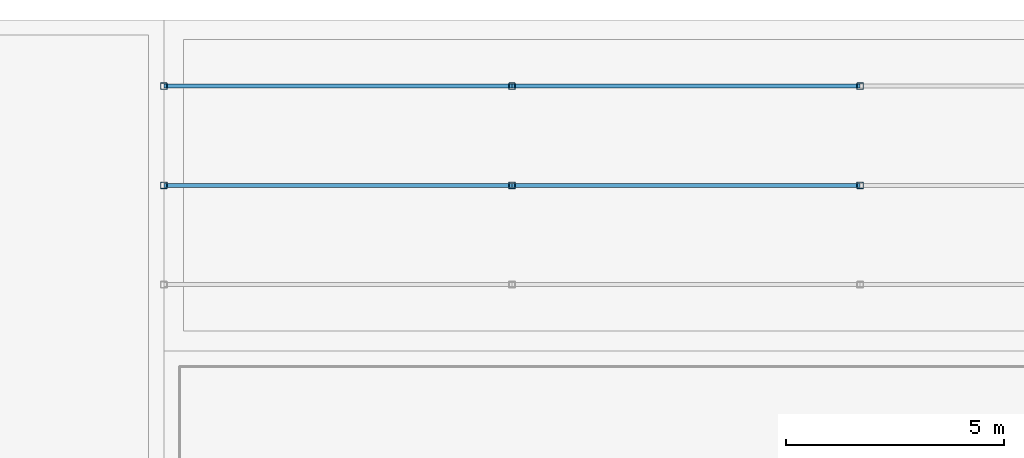
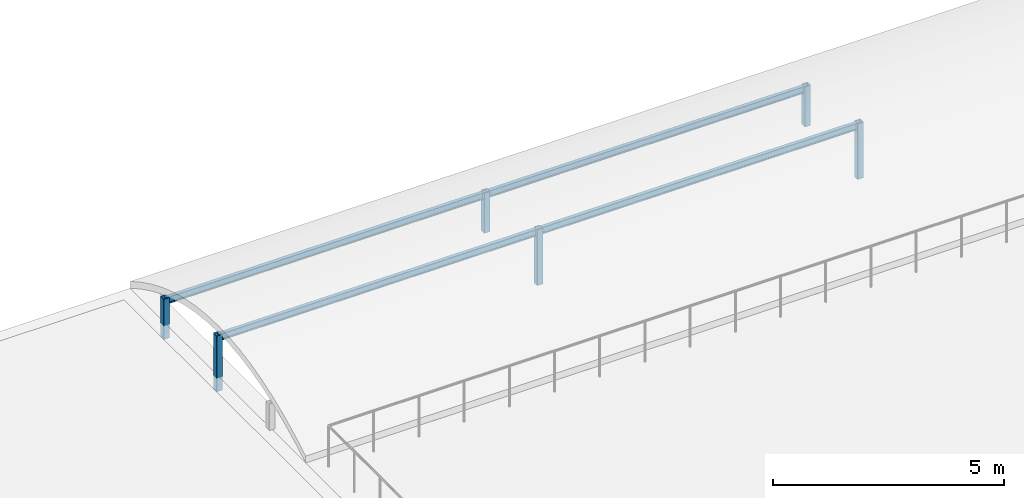
# One storey, part 21 of 46: 10 members.
"""IFC4 building model written with IfcOpenShell, lengths in metres."""

from ifc_helpers import new_model, si_unit, direction, frame, origin, origin_2d, place, context, subcontext, project, spatial, hollow_rectangle, i_section, extrude, material, material_profile, profile_set, type_object, element, save


model = new_model("IFC4")

# Units and contexts
model_context = context("Model", 3, precision=1e-05, world=origin(), true_north=direction((0.0, 1.0)))
body_context = subcontext(model_context, "Body", "Model", "MODEL_VIEW")
ifc_project = project(units=[si_unit("LENGTHUNIT", "METRE"), si_unit("AREAUNIT", "SQUARE_METRE"), si_unit("VOLUMEUNIT", "CUBIC_METRE"), si_unit("PLANEANGLEUNIT", "RADIAN"), si_unit("MASSUNIT", "GRAM", prefix="KILO")], contexts=[model_context])

# Site, building, storey
site_placement = place(None, origin())
site = spatial("IfcSite", under=ifc_project, at=site_placement, CompositionType="ELEMENT")
building_placement = place(site_placement, origin())
building = spatial("IfcBuilding", under=site, at=building_placement, Name="Shalkamar Park Central Library", CompositionType="ELEMENT")
storey_placement = place(building_placement, frame((0.0, 0.0, 20.39990234375)))
storey = spatial("IfcBuildingStorey", under=building, at=storey_placement, Name="L05", CompositionType="ELEMENT", Elevation=20.39990234375)

# Members
ifc_material = material(Name="Steel S355", Category="steel")
ifc_material_profile_1 = material_profile(ifc_material, hollow_rectangle(XDim=0.14990234375, YDim=0.14990234375, WallThickness=0.008056640625, InnerFilletRadius=0.008056640625, OuterFilletRadius=0.011962890625, at=origin_2d()), Name="SHS 150x150x8")
ifc_profile_set_1 = profile_set([ifc_material_profile_1], Name="Steel S355")
member_type_1 = type_object("IfcMemberType", Name="Diagonal Brace SHS150", PredefinedType="BRACE", material=ifc_profile_set_1)
member_1_placement = place(storey_placement, frame((165.0, 312.199951171875, -0.35986328125), z_axis=(0.0, 0.0, 1.0), x_axis=(1.0, 0.0, 0.0)))
element("IfcMember", 1, at=member_1_placement, inside=storey, type_object=member_type_1, Name="Vault Arch Post BV-L04-NN-07.2", PredefinedType="BRACE", context=body_context, shape_type="SweptSolid", body=[
    extrude(hollow_rectangle(XDim=0.14990234375, YDim=0.14990234375, WallThickness=0.008056640625, InnerFilletRadius=0.008056640625, OuterFilletRadius=0.011962890625, at=origin_2d()), origin(), (0.0, 0.0, 1.0), 1.469970703125),
])
member_2_placement = place(storey_placement, frame((165.0, 314.47998046875, -0.35986328125), z_axis=(0.0, 0.0, 1.0), x_axis=(1.0, 0.0, 0.0)))
element("IfcMember", 2, at=member_2_placement, inside=storey, type_object=member_type_1, Name="Vault Arch Post BV-L04-NN-07.3", PredefinedType="BRACE", context=body_context, shape_type="SweptSolid", body=[
    extrude(hollow_rectangle(XDim=0.14990234375, YDim=0.14990234375, WallThickness=0.008056640625, InnerFilletRadius=0.008056640625, OuterFilletRadius=0.011962890625, at=origin_2d()), origin(), (0.0, 0.0, 1.0), 1.055908203125),
])
member_3_placement = place(storey_placement, frame((173.0, 312.199951171875, -0.35986328125), z_axis=(0.0, 0.0, 1.0), x_axis=(1.0, 0.0, 0.0)))
element("IfcMember", 3, at=member_3_placement, inside=storey, type_object=member_type_1, Name="Vault Arch Post BV-L04-NN-08.2", PredefinedType="BRACE", context=body_context, shape_type="SweptSolid", body=[
    extrude(hollow_rectangle(XDim=0.14990234375, YDim=0.14990234375, WallThickness=0.008056640625, InnerFilletRadius=0.008056640625, OuterFilletRadius=0.011962890625, at=origin_2d()), origin(), (0.0, 0.0, 1.0), 1.469970703125),
])
member_4_placement = place(storey_placement, frame((173.0, 314.47998046875, -0.35986328125), z_axis=(0.0, 0.0, 1.0), x_axis=(1.0, 0.0, 0.0)))
element("IfcMember", 4, at=member_4_placement, inside=storey, type_object=member_type_1, Name="Vault Arch Post BV-L04-NN-08.3", PredefinedType="BRACE", context=body_context, shape_type="SweptSolid", body=[
    extrude(hollow_rectangle(XDim=0.14990234375, YDim=0.14990234375, WallThickness=0.008056640625, InnerFilletRadius=0.008056640625, OuterFilletRadius=0.011962890625, at=origin_2d()), origin(), (0.0, 0.0, 1.0), 1.055908203125),
])
member_5_placement = place(storey_placement, frame((181.0, 312.199951171875, -0.35986328125), z_axis=(0.0, 0.0, 1.0), x_axis=(1.0, 0.0, 0.0)))
element("IfcMember", 5, at=member_5_placement, inside=storey, type_object=member_type_1, Name="Vault Arch Post BV-L04-NN-09.2", PredefinedType="BRACE", context=body_context, shape_type="SweptSolid", body=[
    extrude(hollow_rectangle(XDim=0.14990234375, YDim=0.14990234375, WallThickness=0.008056640625, InnerFilletRadius=0.008056640625, OuterFilletRadius=0.011962890625, at=origin_2d()), origin(), (0.0, 0.0, 1.0), 1.469970703125),
])
member_6_placement = place(storey_placement, frame((181.0, 314.47998046875, -0.35986328125), z_axis=(0.0, 0.0, 1.0), x_axis=(1.0, 0.0, 0.0)))
element("IfcMember", 6, at=member_6_placement, inside=storey, type_object=member_type_1, Name="Vault Arch Post BV-L04-NN-09.3", PredefinedType="BRACE", context=body_context, shape_type="SweptSolid", body=[
    extrude(hollow_rectangle(XDim=0.14990234375, YDim=0.14990234375, WallThickness=0.008056640625, InnerFilletRadius=0.008056640625, OuterFilletRadius=0.011962890625, at=origin_2d()), origin(), (0.0, 0.0, 1.0), 1.055908203125),
])
ifc_material_profile_2 = material_profile(ifc_material, i_section(OverallWidth=0.091064453125, OverallDepth=0.179931640625, WebThickness=0.00537109375, FlangeThickness=0.008056640625, FilletRadius=0.009033203125, at=origin_2d()), Name="IPE 180")
ifc_profile_set_2 = profile_set([ifc_material_profile_2], Name="Steel S355")
member_type_2 = type_object("IfcMemberType", Name="Roof Purlin IPE180", PredefinedType="PURLIN", material=ifc_profile_set_2)
for number, where, z_axis, x_axis, name in (
    (7, (165.0, 312.199951171875, 1.02001953125), (1.0, 0.0, 0.0), (0.0, 1.0, 0.0), "Barrel Roof Purlin BV-L04-NN-2.07"),
    (8, (173.0, 312.199951171875, 1.02001953125), (1.0, 0.0, 0.0), (0.0, 1.0, 0.0), "Barrel Roof Purlin BV-L04-NN-2.08"),
    (9, (165.0, 314.47998046875, 0.606201171875), (1.0, 0.0, 0.0), (0.0, 1.0, 0.0), "Barrel Roof Purlin BV-L04-NN-3.07"),
    (10, (173.0, 314.47998046875, 0.606201171875), (1.0, 0.0, 0.0), (0.0, 1.0, 0.0), "Barrel Roof Purlin BV-L04-NN-3.08"),
):
    element("IfcMember", number, at=place(storey_placement, frame(where, z_axis=z_axis, x_axis=x_axis)), inside=storey, type_object=member_type_2, Name=name, PredefinedType="PURLIN", context=body_context, shape_type="SweptSolid", body=[
        extrude(i_section(OverallWidth=0.091064453125, OverallDepth=0.179931640625, WebThickness=0.00537109375, FlangeThickness=0.008056640625, FilletRadius=0.009033203125, at=origin_2d()), origin(), (0.0, 0.0, 1.0), 8.0),
    ])

save(model, "model.ifc")
